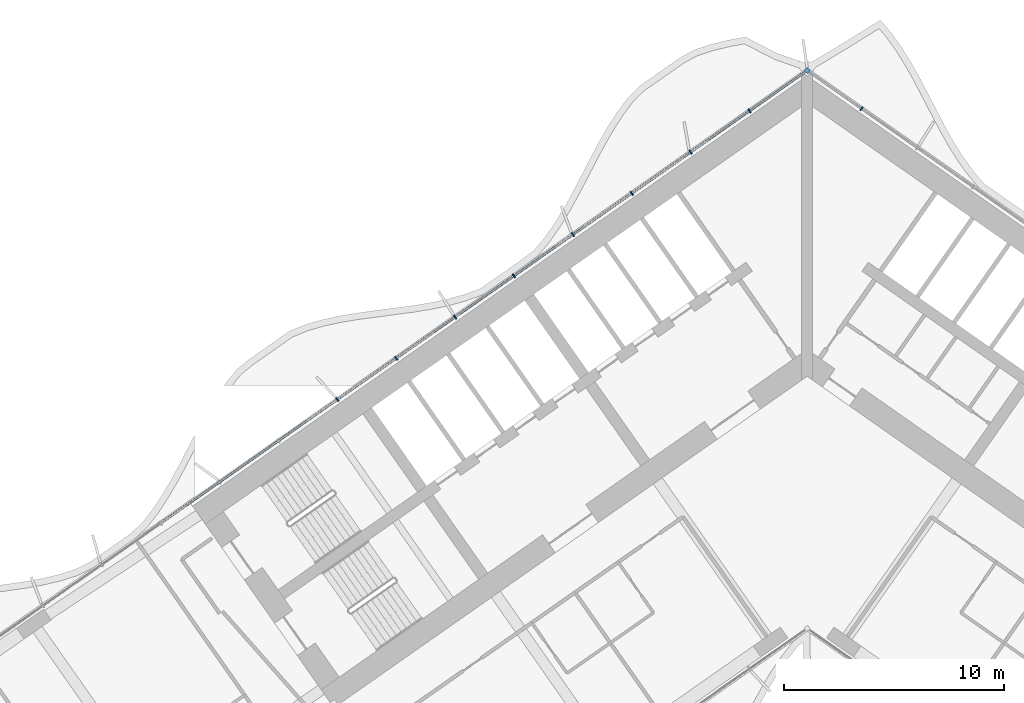
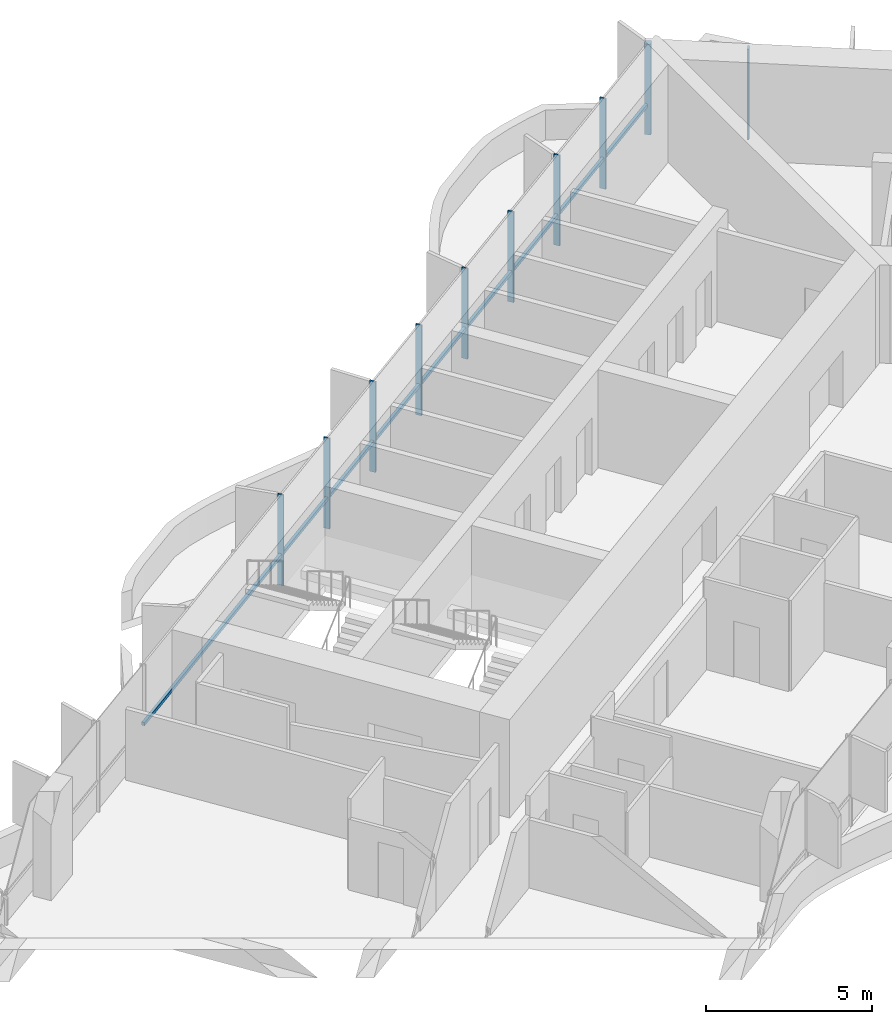
# One storey, part 7 of 23: 11 members, 1 element without a shape of its own.
"""IFC4 building model written with IfcOpenShell, lengths in metres."""

from ifc_helpers import new_model, si_unit, direction, frame, origin, origin_2d, place, context, subcontext, project, spatial, rectangle, extrude, material, material_profile, profile_set, type_object, element, aggregate, save


model = new_model("IFC4")

# Units and contexts
model_context = context("Model", 3, precision=1e-05, world=origin(), true_north=direction((0.0, 1.0)))
body_context = subcontext(model_context, "Body", "Model", "MODEL_VIEW")
ifc_project = project(units=[si_unit("LENGTHUNIT", "METRE"), si_unit("AREAUNIT", "SQUARE_METRE"), si_unit("VOLUMEUNIT", "CUBIC_METRE"), si_unit("PLANEANGLEUNIT", "RADIAN"), si_unit("MASSUNIT", "GRAM", prefix="KILO")], contexts=[model_context])

# Site, building, storey
site_placement = place(None, origin())
site = spatial("IfcSite", under=ifc_project, at=site_placement, CompositionType="ELEMENT")
building_placement = place(site_placement, origin())
building = spatial("IfcBuilding", under=site, at=building_placement, Name="Tel Ilan Convention Tower", CompositionType="ELEMENT")
storey_placement = place(building_placement, frame((0.0, 0.0, 79.699951171875)))
storey = spatial("IfcBuildingStorey", under=building, at=storey_placement, Name="L15", CompositionType="ELEMENT", Elevation=79.699951171875)

# Curtain wall, members
ifc_material_1 = material(Name="Aluminium, bronze anodised", Category="aluminium")
curtain_wall_type = type_object("IfcCurtainWallType", Name="CW2 STICK CURTAIN WALL, SPANDREL PANELS", PredefinedType="NOTDEFINED", material=ifc_material_1)
curtain_wall_placement = place(storey_placement, origin())
curtain_wall = element("IfcCurtainWall", 1, at=curtain_wall_placement, inside=storey, type_object=curtain_wall_type, Name="Curtain wall CW2-15.01", PredefinedType="NOTDEFINED")
ifc_material_2 = material(Name="Aluminium, bronze anodised", Category="aluminium")
ifc_material_profile_1 = material_profile(ifc_material_2, rectangle(XDim=0.199951171875, YDim=0.199951171875, at=origin_2d()), Name="CW CORNER MULLION 200x200")
ifc_profile_set_1 = profile_set([ifc_material_profile_1], Name="Aluminium, bronze anodised")
member_type_1 = type_object("IfcMemberType", Name="CW CORNER MULLION 200x200", PredefinedType="MULLION", material=ifc_profile_set_1)
member_1_placement = place(storey_placement, frame((0.0, 12.696044921875, 0.0), z_axis=(0.0, 0.0, 1.0), x_axis=(-0.819152044289, 0.573576436351, 0.0)))
member_1 = element("IfcMember", 2, at=member_1_placement, type_object=member_type_1, Name="Corner mullion", PredefinedType="MULLION", context=body_context, shape_type="SweptSolid", body=[
    extrude(rectangle(XDim=0.199951171875, YDim=0.199951171875, at=origin_2d()), origin(), (0.0, 0.0, 1.0), 3.320068359375),
])
ifc_material_3 = material(Name="Aluminium, bronze anodised", Category="aluminium")
ifc_material_profile_2 = material_profile(ifc_material_3, rectangle(XDim=0.06005859375, YDim=0.199951171875, at=origin_2d()), Name="CW MULLION 60x200")
ifc_profile_set_2 = profile_set([ifc_material_profile_2], Name="Aluminium, bronze anodised")
member_type_2 = type_object("IfcMemberType", Name="CW MULLION 60x200", PredefinedType="MULLION", material=ifc_profile_set_2)
member_2_placement = place(storey_placement, frame((2.4794921875, 10.9599609375, 0.0), z_axis=(0.0, 0.0, 1.0), x_axis=(-0.819152044289, 0.573576436351, 0.0)))
member_2 = element("IfcMember", 3, at=member_2_placement, type_object=member_type_2, Name="Mullion", PredefinedType="MULLION", context=body_context, shape_type="SweptSolid", body=[
    extrude(rectangle(XDim=0.06005859375, YDim=0.199951171875, at=origin_2d()), origin(), (0.0, 0.0, 1.0), 3.320068359375),
])
member_3_placement = place(storey_placement, frame((-2.622802734375, 10.859375, 0.0), z_axis=(0.0, 0.0, 1.0), x_axis=(-0.819152044289, -0.573576436351, 0.0)))
member_3 = element("IfcMember", 4, at=member_3_placement, type_object=member_type_2, Name="Mullion", PredefinedType="MULLION", context=body_context, shape_type="SweptSolid", body=[
    extrude(rectangle(XDim=0.06005859375, YDim=0.199951171875, at=origin_2d()), origin(), (0.0, 0.0, 1.0), 3.320068359375),
])
member_4_placement = place(storey_placement, frame((-5.30322265625, 8.982666015625, 0.0), z_axis=(0.0, 0.0, 1.0), x_axis=(-0.819152044289, -0.573576436351, 0.0)))
member_4 = element("IfcMember", 5, at=member_4_placement, type_object=member_type_2, Name="Mullion", PredefinedType="MULLION", context=body_context, shape_type="SweptSolid", body=[
    extrude(rectangle(XDim=0.06005859375, YDim=0.199951171875, at=origin_2d()), origin(), (0.0, 0.0, 1.0), 3.320068359375),
])
member_5_placement = place(storey_placement, frame((-7.9833984375, 7.10595703125, 0.0), z_axis=(0.0, 0.0, 1.0), x_axis=(-0.819152044289, -0.573576436351, 0.0)))
member_5 = element("IfcMember", 6, at=member_5_placement, type_object=member_type_2, Name="Mullion", PredefinedType="MULLION", context=body_context, shape_type="SweptSolid", body=[
    extrude(rectangle(XDim=0.06005859375, YDim=0.199951171875, at=origin_2d()), origin(), (0.0, 0.0, 1.0), 3.320068359375),
])
member_6_placement = place(storey_placement, frame((-10.663818359375, 5.229248046875, 0.0), z_axis=(0.0, 0.0, 1.0), x_axis=(-0.819152044289, -0.573576436351, 0.0)))
member_6 = element("IfcMember", 7, at=member_6_placement, type_object=member_type_2, Name="Mullion", PredefinedType="MULLION", context=body_context, shape_type="SweptSolid", body=[
    extrude(rectangle(XDim=0.06005859375, YDim=0.199951171875, at=origin_2d()), origin(), (0.0, 0.0, 1.0), 3.320068359375),
])
member_7_placement = place(storey_placement, frame((-13.343994140625, 3.3525390625, 0.0), z_axis=(0.0, 0.0, 1.0), x_axis=(-0.819152044289, -0.573576436351, 0.0)))
member_7 = element("IfcMember", 8, at=member_7_placement, type_object=member_type_2, Name="Mullion", PredefinedType="MULLION", context=body_context, shape_type="SweptSolid", body=[
    extrude(rectangle(XDim=0.06005859375, YDim=0.199951171875, at=origin_2d()), origin(), (0.0, 0.0, 1.0), 3.320068359375),
])
member_8_placement = place(storey_placement, frame((-16.024169921875, 1.475830078125, 0.0), z_axis=(0.0, 0.0, 1.0), x_axis=(-0.819152044289, -0.573576436351, 0.0)))
member_8 = element("IfcMember", 9, at=member_8_placement, type_object=member_type_2, Name="Mullion", PredefinedType="MULLION", context=body_context, shape_type="SweptSolid", body=[
    extrude(rectangle(XDim=0.06005859375, YDim=0.199951171875, at=origin_2d()), origin(), (0.0, 0.0, 1.0), 3.320068359375),
])
member_9_placement = place(storey_placement, frame((-18.70458984375, -0.401123046875, 0.0), z_axis=(0.0, 0.0, 1.0), x_axis=(-0.819152044289, -0.573576436351, 0.0)))
member_9 = element("IfcMember", 10, at=member_9_placement, type_object=member_type_2, Name="Mullion", PredefinedType="MULLION", context=body_context, shape_type="SweptSolid", body=[
    extrude(rectangle(XDim=0.06005859375, YDim=0.199951171875, at=origin_2d()), origin(), (0.0, 0.0, 1.0), 3.320068359375),
])
member_10_placement = place(storey_placement, frame((-21.384765625, -2.27783203125, 0.0), z_axis=(0.0, 0.0, 1.0), x_axis=(-0.819152044289, -0.573576436351, 0.0)))
member_10 = element("IfcMember", 11, at=member_10_placement, type_object=member_type_2, Name="Mullion", PredefinedType="MULLION", context=body_context, shape_type="SweptSolid", body=[
    extrude(rectangle(XDim=0.06005859375, YDim=0.199951171875, at=origin_2d()), origin(), (0.0, 0.0, 1.0), 3.320068359375),
])
ifc_material_4 = material(Name="Aluminium, bronze anodised", Category="aluminium")
ifc_material_profile_3 = material_profile(ifc_material_4, rectangle(XDim=0.10009765625, YDim=0.1201171875, at=origin_2d()), Name="CW TRANSOM 100x120")
ifc_profile_set_3 = profile_set([ifc_material_profile_3], Name="Aluminium, bronze anodised")
member_type_3 = type_object("IfcMemberType", Name="CW TRANSOM 100x120", PredefinedType="USERDEFINED", material=ifc_profile_set_3)
member_11_placement = place(storey_placement, frame((-0.1064453125, 12.62158203125, 1.10009765625), z_axis=(-0.81915076999, -0.573578256234, 0.0), x_axis=(0.573578256234, -0.81915076999, 0.0)))
member_11 = element("IfcMember", 12, at=member_11_placement, type_object=member_type_3, Name="Transom", ObjectType="TRANSOM", PredefinedType="USERDEFINED", context=body_context, shape_type="SweptSolid", body=[
    extrude(rectangle(XDim=0.10009765625, YDim=0.1201171875, at=origin_2d()), origin(), (0.0, 0.0, 1.0), 35.76220703125),
])
aggregate(curtain_wall, [member_2, member_1, member_3, member_4, member_5, member_6, member_7, member_8, member_9, member_10, member_11])

save(model, "model.ifc")
